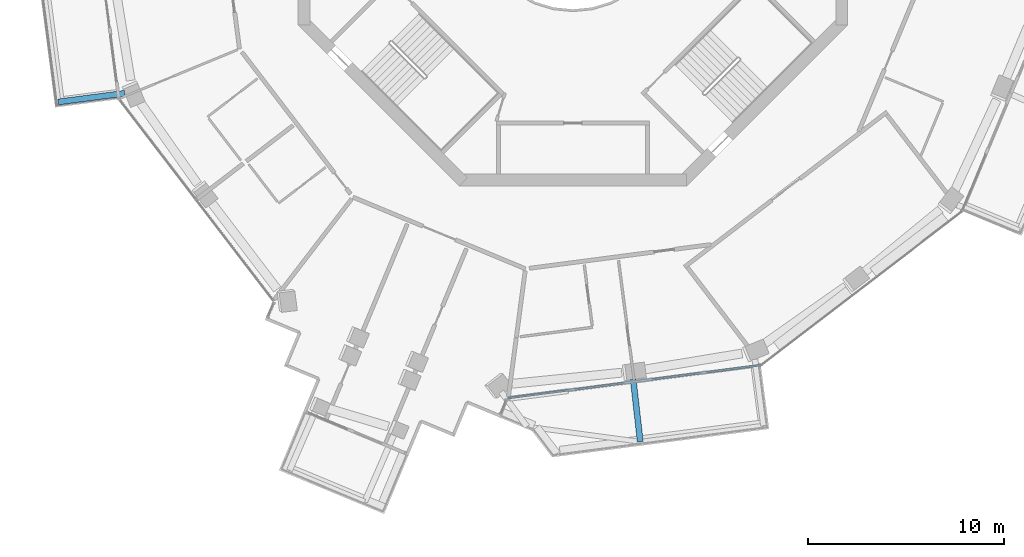
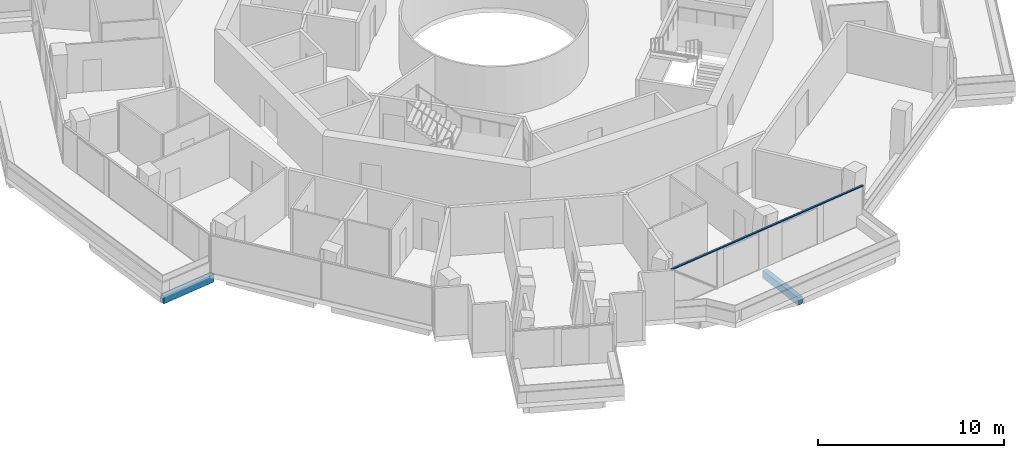
# One storey, part 3 of 25: 2 beams, 1 member, 1 element without a shape of its own.
"""IFC4 building model written with IfcOpenShell, lengths in metres."""

from ifc_helpers import new_model, si_unit, direction, frame, origin, origin_2d, place, context, subcontext, project, spatial, rectangle, extrude, material, layer, layer_set, material_profile, profile_set, type_object, element, aggregate, save


model = new_model("IFC4")

# Units and contexts
model_context = context("Model", 3, precision=1e-05, world=origin(), true_north=direction((0.0, 1.0)))
body_context = subcontext(model_context, "Body", "Model", "MODEL_VIEW")
ifc_project = project(units=[si_unit("LENGTHUNIT", "METRE"), si_unit("AREAUNIT", "SQUARE_METRE"), si_unit("VOLUMEUNIT", "CUBIC_METRE"), si_unit("PLANEANGLEUNIT", "RADIAN"), si_unit("MASSUNIT", "GRAM", prefix="KILO")], contexts=[model_context])

# Site, building, storey
site_placement = place(None, origin())
site = spatial("IfcSite", under=ifc_project, at=site_placement, CompositionType="ELEMENT")
building_placement = place(site_placement, origin())
building = spatial("IfcBuilding", under=site, at=building_placement, Name="Verdalira Terraces Hotel", CompositionType="ELEMENT")
storey_placement = place(building_placement, frame((0.0, 0.0, 187.0)))
storey = spatial("IfcBuildingStorey", under=building, at=storey_placement, Name="L45", CompositionType="ELEMENT", Elevation=187.0)

# Beams
ifc_material_1 = material(Name="Concrete C40", Category="concrete")
ifc_material_profile_1 = material_profile(ifc_material_1, rectangle(XDim=0.300049, YDim=0.5, at=origin_2d()), Name="RC 300X500")
ifc_profile_set_1 = profile_set([ifc_material_profile_1], Name="Concrete C40")
beam_type = type_object("IfcBeamType", Name="Balcony cantilever beam RC 300X500 C40", PredefinedType="BEAM", material=ifc_profile_set_1)
beam_1_placement = place(storey_placement, frame((-22.840576, -9.27832, -0.560059), z_axis=(-0.99157963, -0.129498409, 0.0), x_axis=(0.129498409, -0.99157963, 0.0)))
element("IfcBeam", 1, at=beam_1_placement, inside=storey, type_object=beam_type, Name="Balcony cantilever beam R11-2", PredefinedType="BEAM", context=body_context, shape_type="SweptSolid", body=[
    extrude(rectangle(XDim=0.300049, YDim=0.5, at=origin_2d()), origin(), (0.0, 0.0, 1.0), 3.408691),
])
beam_2_placement = place(storey_placement, frame((3.07373, -23.86084, -0.560059), z_axis=(0.112884017, -0.993608172, 0.0), x_axis=(0.993608172, 0.112884017, 0.0)))
element("IfcBeam", 2, at=beam_2_placement, inside=storey, type_object=beam_type, Name="Balcony cantilever beam R24-2", PredefinedType="BEAM", context=body_context, shape_type="SweptSolid", body=[
    extrude(rectangle(XDim=0.300049, YDim=0.5, at=origin_2d()), origin(), (0.0, 0.0, 1.0), 3.200928),
])

# Curtain wall, member
ifc_material_2 = material(Name="Clear glass", Category="glass")
ifc_layer = layer(ifc_material_2, 0.14990234375)
ifc_layer_set = layer_set([ifc_layer], Name="CW1 curtain wall")
curtain_wall_type = type_object("IfcCurtainWallType", Name="CW1 curtain wall", PredefinedType="NOTDEFINED", material=ifc_layer_set)
curtain_wall_placement = place(storey_placement, origin())
curtain_wall = element("IfcCurtainWall", 3, at=curtain_wall_placement, inside=storey, type_object=curtain_wall_type, Name="CW1 curtain wall L45 edge 25", PredefinedType="NOTDEFINED")
ifc_material_3 = material(Name="Terracotta frame", Category="masonry")
ifc_material_profile_2 = material_profile(ifc_material_3, rectangle(XDim=0.110107, YDim=0.064941, at=origin_2d()), Name="TR 65x110")
ifc_profile_set_2 = profile_set([ifc_material_profile_2], Name="Terracotta frame")
member_type = type_object("IfcMemberType", Name="CW1 transom 65x110", PredefinedType="USERDEFINED", material=ifc_profile_set_2)
member_placement = place(storey_placement, frame((-3.313721, -24.821289, 2.507568), z_axis=(0.991580712, 0.129490123, 0.0), x_axis=(-0.129490123, 0.991580712, 0.0)))
member = element("IfcMember", 4, at=member_placement, type_object=member_type, Name="CW1 transom", ObjectType="TRANSOM", PredefinedType="USERDEFINED", context=body_context, shape_type="SweptSolid", body=[
    extrude(rectangle(XDim=0.110107, YDim=0.064941, at=origin_2d()), origin(), (0.0, 0.0, 1.0), 12.999756),
])
aggregate(curtain_wall, [member])

save(model, "model.ifc")
